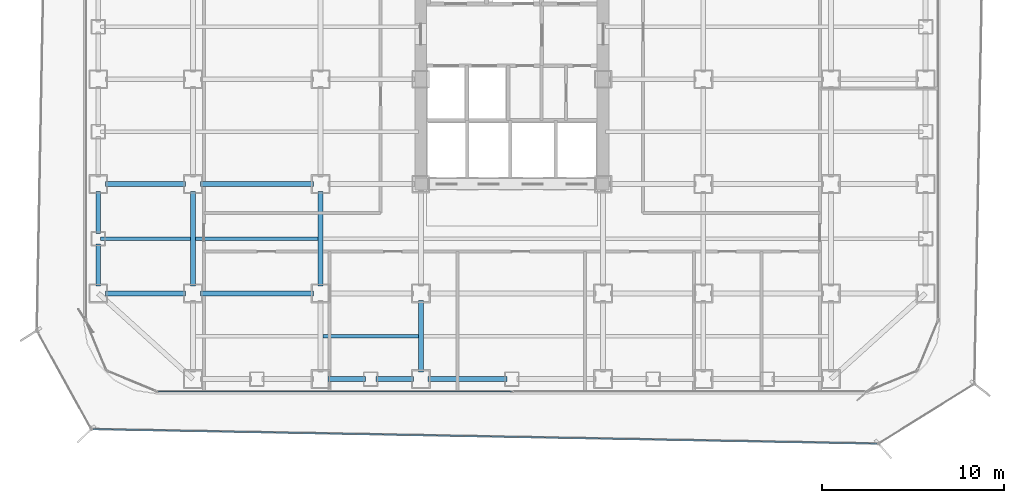
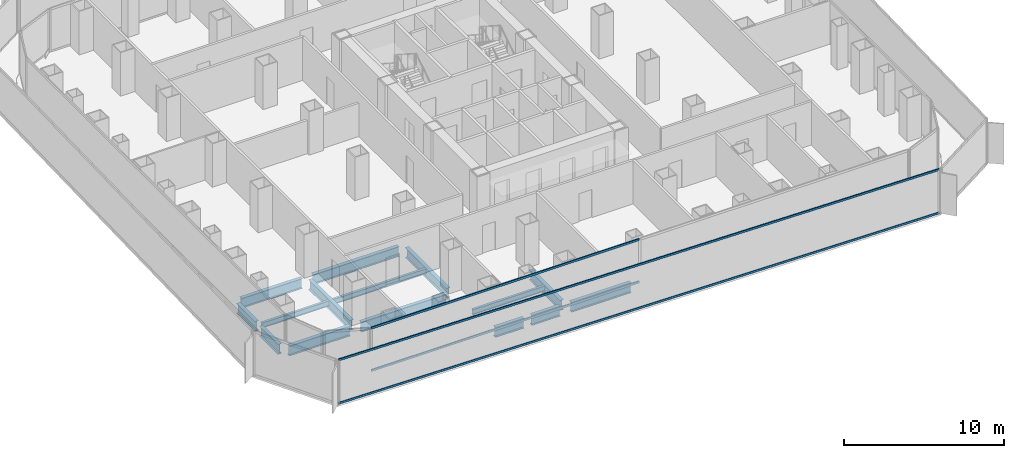
# One storey, part 3 of 22: 15 beams, 4 members, 2 elements without a shape of their own.
"""IFC4 building model written with IfcOpenShell, lengths in metres."""

from ifc_helpers import new_model, si_unit, direction, frame, origin, origin_2d, place, context, subcontext, project, spatial, hollow_rectangle, i_section, extrude, source, transform, mapped, material, layer, layer_set, material_profile, profile_set, type_object, element, aggregate, save


model = new_model("IFC4")

# Units and contexts
model_context = context("Model", 3, precision=1e-05, world=origin(), true_north=direction((0.0, 1.0)))
body_context = subcontext(model_context, "Body", "Model", "MODEL_VIEW")
ifc_project = project(units=[si_unit("LENGTHUNIT", "METRE"), si_unit("AREAUNIT", "SQUARE_METRE"), si_unit("VOLUMEUNIT", "CUBIC_METRE"), si_unit("PLANEANGLEUNIT", "RADIAN"), si_unit("MASSUNIT", "GRAM", prefix="KILO")], contexts=[model_context])

# Site, building, storey
site_placement = place(None, origin())
site = spatial("IfcSite", under=ifc_project, at=site_placement, CompositionType="ELEMENT")
building_placement = place(site_placement, origin())
building = spatial("IfcBuilding", under=site, at=building_placement, Name="Kolveth Station Tower", CompositionType="ELEMENT")
storey_placement = place(building_placement, frame((0.0, 0.0, 81.0)))
storey = spatial("IfcBuildingStorey", under=building, at=storey_placement, Name="L21", CompositionType="ELEMENT", Elevation=81.0)

# Beams
ifc_material_1 = material(Name="Steel S355", Category="steel")
ifc_material_profile_1 = material_profile(ifc_material_1, i_section(OverallWidth=0.26904296875, OverallDepth=0.77490234375, WebThickness=0.01708984375, FlangeThickness=0.0283203125, at=origin_2d()), Name="W760x220")
ifc_profile_set_1 = profile_set([ifc_material_profile_1], Name="Steel S355")
beam_type_1 = type_object("IfcBeamType", Name="Beam_SP1", PredefinedType="SPANDREL", material=ifc_profile_set_1)
shared_shape_1 = source(origin(), body_context, "Body", "SweptSolid", [
    extrude(i_section(OverallWidth=0.26904296875, OverallDepth=0.77490234375, WebThickness=0.01708984375, FlangeThickness=0.0283203125, at=origin_2d()), origin(), (0.0, 0.0, 1.0), 2.070068359375),
])
for number, where, z_axis, x_axis, name in (
    (1, (13.39990234375, 0.800048828125, -0.66748046875), (1.0, 0.0, 0.0), (0.0, 1.0, 0.0), "L21 Perimeter Spandrel BM-L21-PS-3"),
    (2, (16.030029296875, 0.800048828125, -0.66748046875), (1.0, 0.0, 0.0), (0.0, 1.0, 0.0), "L21 Perimeter Spandrel BM-L21-PS-4"),
):
    element("IfcBeam", number, at=place(storey_placement, frame(where, z_axis=z_axis, x_axis=x_axis)), inside=storey, type_object=beam_type_1, Name=name, PredefinedType="SPANDREL", context=body_context, shape_type="MappedRepresentation", body=[
        mapped(shared_shape_1, transform((0.0, 0.0, 0.0), x_axis=(1.0, 0.0, 0.0), y_axis=(0.0, 1.0, 0.0), z_axis=(0.0, 0.0, 1.0), scale=1.0)),
    ])
shared_shape_2 = source(origin(), body_context, "Body", "SweptSolid", [
    extrude(i_section(OverallWidth=0.26904296875, OverallDepth=0.77490234375, WebThickness=0.01708984375, FlangeThickness=0.0283203125, at=origin_2d()), origin(), (0.0, 0.0, 1.0), 4.320068359375),
])
beam_1_placement = place(storey_placement, frame((18.89990234375, 0.800048828125, -0.66748046875), z_axis=(1.0, 0.0, 0.0), x_axis=(0.0, 1.0, 0.0)))
element("IfcBeam", 3, at=beam_1_placement, inside=storey, type_object=beam_type_1, Name="L21 Perimeter Spandrel BM-L21-PS-5", PredefinedType="SPANDREL", context=body_context, shape_type="MappedRepresentation", body=[
    mapped(shared_shape_2, transform((0.0, 0.0, 0.0), x_axis=(1.0, 0.0, 0.0), y_axis=(0.0, 1.0, 0.0), z_axis=(0.0, 0.0, 1.0), scale=1.0)),
])
shared_shape_3 = source(origin(), body_context, "Body", "SweptSolid", [
    extrude(i_section(OverallWidth=0.26904296875, OverallDepth=0.77490234375, WebThickness=0.01708984375, FlangeThickness=0.0283203125, at=origin_2d()), origin(), (0.0, 0.0, 1.0), 2.320068359375),
])
for number, where, z_axis, x_axis, name in (
    (4, (0.800048828125, 5.89990234375, -0.66748046875), (0.0, 1.0, 0.0), (-1.0, 0.0, 0.0), "L21 Perimeter Spandrel BM-L21-PW-1"),
    (5, (0.800048828125, 8.780029296875, -0.66748046875), (0.0, 1.0, 0.0), (-1.0, 0.0, 0.0), "L21 Perimeter Spandrel BM-L21-PW-2"),
):
    element("IfcBeam", number, at=place(storey_placement, frame(where, z_axis=z_axis, x_axis=x_axis)), inside=storey, type_object=beam_type_1, Name=name, PredefinedType="SPANDREL", context=body_context, shape_type="MappedRepresentation", body=[
        mapped(shared_shape_3, transform((0.0, 0.0, 0.0), x_axis=(1.0, 0.0, 0.0), y_axis=(0.0, 1.0, 0.0), z_axis=(0.0, 0.0, 1.0), scale=1.0)),
    ])
ifc_material_profile_2 = material_profile(ifc_material_1, i_section(OverallWidth=0.26708984375, OverallDepth=0.76611328125, WebThickness=0.014892578125, FlangeThickness=0.023681640625, at=origin_2d()), Name="W760x185")
ifc_profile_set_2 = profile_set([ifc_material_profile_2], Name="Steel S355")
beam_type_2 = type_object("IfcBeamType", Name="Beam_B3", PredefinedType="BEAM", material=ifc_profile_set_2)
shared_shape_4 = source(origin(), body_context, "Body", "SweptSolid", [
    extrude(i_section(OverallWidth=0.26708984375, OverallDepth=0.76611328125, WebThickness=0.014892578125, FlangeThickness=0.023681640625, at=origin_2d()), origin(), (0.0, 0.0, 1.0), 4.400146484375),
])
for number, where, z_axis, x_axis, name in (
    (6, (1.199951171875, 5.5, -0.6630859375), (1.0, 0.0, 0.0), (0.0, 1.0, 0.0), "L21 Primary Girder BM-L21-GY55-1"),
    (7, (1.199951171875, 11.5, -0.6630859375), (1.0, 0.0, 0.0), (0.0, 1.0, 0.0), "L21 Primary Girder BM-L21-GY115-1"),
):
    element("IfcBeam", number, at=place(storey_placement, frame(where, z_axis=z_axis, x_axis=x_axis)), inside=storey, type_object=beam_type_2, Name=name, PredefinedType="BEAM", context=body_context, shape_type="MappedRepresentation", body=[
        mapped(shared_shape_4, transform((0.0, 0.0, 0.0), x_axis=(1.0, 0.0, 0.0), y_axis=(0.0, 1.0, 0.0), z_axis=(0.0, 0.0, 1.0), scale=1.0)),
    ])
shared_shape_5 = source(origin(), body_context, "Body", "SweptSolid", [
    extrude(i_section(OverallWidth=0.26708984375, OverallDepth=0.76611328125, WebThickness=0.014892578125, FlangeThickness=0.023681640625, at=origin_2d()), origin(), (0.0, 0.0, 1.0), 6.2001953125),
])
for number, where, z_axis, x_axis, name in (
    (8, (6.39990234375, 5.5, -0.6630859375), (1.0, 0.0, 0.0), (0.0, 1.0, 0.0), "L21 Primary Girder BM-L21-GY55-2"),
    (9, (6.39990234375, 11.5, -0.6630859375), (1.0, 0.0, 0.0), (0.0, 1.0, 0.0), "L21 Primary Girder BM-L21-GY115-2"),
):
    element("IfcBeam", number, at=place(storey_placement, frame(where, z_axis=z_axis, x_axis=x_axis)), inside=storey, type_object=beam_type_2, Name=name, PredefinedType="BEAM", context=body_context, shape_type="MappedRepresentation", body=[
        mapped(shared_shape_5, transform((0.0, 0.0, 0.0), x_axis=(1.0, 0.0, 0.0), y_axis=(0.0, 1.0, 0.0), z_axis=(0.0, 0.0, 1.0), scale=1.0)),
    ])
shared_shape_6 = source(origin(), body_context, "Body", "SweptSolid", [
    extrude(i_section(OverallWidth=0.26708984375, OverallDepth=0.76611328125, WebThickness=0.014892578125, FlangeThickness=0.023681640625, at=origin_2d()), origin(), (0.0, 0.0, 1.0), 3.900146484375),
])
beam_2_placement = place(storey_placement, frame((18.5, 1.199951171875, -0.6630859375), z_axis=(0.0, 1.0, 0.0), x_axis=(-1.0, 0.0, 0.0)))
element("IfcBeam", 10, at=beam_2_placement, inside=storey, type_object=beam_type_2, Name="L21 Primary Girder BM-L21-GX185-1", PredefinedType="BEAM", context=body_context, shape_type="MappedRepresentation", body=[
    mapped(shared_shape_6, transform((0.0, 0.0, 0.0), x_axis=(1.0, 0.0, 0.0), y_axis=(0.0, 1.0, 0.0), z_axis=(0.0, 0.0, 1.0), scale=1.0)),
])
shared_shape_7 = source(origin(), body_context, "Body", "SweptSolid", [
    extrude(i_section(OverallWidth=0.26708984375, OverallDepth=0.76611328125, WebThickness=0.014892578125, FlangeThickness=0.023681640625, at=origin_2d()), origin(), (0.0, 0.0, 1.0), 5.2001953125),
])
for number, where, z_axis, x_axis, name in (
    (11, (6.0, 5.89990234375, -0.6630859375), (0.0, 1.0, 0.0), (-1.0, 0.0, 0.0), "L21 Primary Girder BM-L21-GX60-2"),
    (12, (13.0, 5.89990234375, -0.6630859375), (0.0, 1.0, 0.0), (-1.0, 0.0, 0.0), "L21 Primary Girder BM-L21-GX130-2"),
):
    element("IfcBeam", number, at=place(storey_placement, frame(where, z_axis=z_axis, x_axis=x_axis)), inside=storey, type_object=beam_type_2, Name=name, PredefinedType="BEAM", context=body_context, shape_type="MappedRepresentation", body=[
        mapped(shared_shape_7, transform((0.0, 0.0, 0.0), x_axis=(1.0, 0.0, 0.0), y_axis=(0.0, 1.0, 0.0), z_axis=(0.0, 0.0, 1.0), scale=1.0)),
    ])
ifc_material_profile_3 = material_profile(ifc_material_1, i_section(OverallWidth=0.177978515625, OverallDepth=0.406982421875, WebThickness=0.0078125, FlangeThickness=0.0126953125, at=origin_2d()), Name="W410x60")
ifc_profile_set_3 = profile_set([ifc_material_profile_3], Name="Steel S355")
beam_type_3 = type_object("IfcBeamType", Name="Beam_J1", PredefinedType="JOIST", material=ifc_profile_set_3)
shared_shape_8 = source(origin(), body_context, "Body", "SweptSolid", [
    extrude(i_section(OverallWidth=0.177978515625, OverallDepth=0.406982421875, WebThickness=0.0078125, FlangeThickness=0.0126953125, at=origin_2d()), origin(), (0.0, 0.0, 1.0), 4.935791015625),
])
beam_3_placement = place(storey_placement, frame((0.9326171875, 8.5, -0.4833984375), z_axis=(1.0, 0.0, 0.0), x_axis=(0.0, 1.0, 0.0)))
element("IfcBeam", 13, at=beam_3_placement, inside=storey, type_object=beam_type_3, Name="L21 Secondary Joist JST-L21-1-2", PredefinedType="JOIST", context=body_context, shape_type="MappedRepresentation", body=[
    mapped(shared_shape_8, transform((0.0, 0.0, 0.0), x_axis=(1.0, 0.0, 0.0), y_axis=(0.0, 1.0, 0.0), z_axis=(0.0, 0.0, 1.0), scale=1.0)),
])
shared_shape_9 = source(origin(), body_context, "Body", "SweptSolid", [
    extrude(i_section(OverallWidth=0.177978515625, OverallDepth=0.406982421875, WebThickness=0.0078125, FlangeThickness=0.0126953125, at=origin_2d()), origin(), (0.0, 0.0, 1.0), 6.73681640625),
])
beam_4_placement = place(storey_placement, frame((6.131591796875, 8.5, -0.4833984375), z_axis=(1.0, 0.0, 0.0), x_axis=(0.0, 1.0, 0.0)))
element("IfcBeam", 14, at=beam_4_placement, inside=storey, type_object=beam_type_3, Name="L21 Secondary Joist JST-L21-2-2", PredefinedType="JOIST", context=body_context, shape_type="MappedRepresentation", body=[
    mapped(shared_shape_9, transform((0.0, 0.0, 0.0), x_axis=(1.0, 0.0, 0.0), y_axis=(0.0, 1.0, 0.0), z_axis=(0.0, 0.0, 1.0), scale=1.0)),
])
shared_shape_10 = source(origin(), body_context, "Body", "SweptSolid", [
    extrude(i_section(OverallWidth=0.177978515625, OverallDepth=0.406982421875, WebThickness=0.0078125, FlangeThickness=0.0126953125, at=origin_2d()), origin(), (0.0, 0.0, 1.0), 5.23681640625),
])
beam_5_placement = place(storey_placement, frame((13.131591796875, 3.14990234375, -0.4833984375), z_axis=(1.0, 0.0, 0.0), x_axis=(0.0, 1.0, 0.0)))
element("IfcBeam", 15, at=beam_5_placement, inside=storey, type_object=beam_type_3, Name="L21 Secondary Joist JST-L21-3-1", PredefinedType="JOIST", context=body_context, shape_type="MappedRepresentation", body=[
    mapped(shared_shape_10, transform((0.0, 0.0, 0.0), x_axis=(1.0, 0.0, 0.0), y_axis=(0.0, 1.0, 0.0), z_axis=(0.0, 0.0, 1.0), scale=1.0)),
])

# Curtain wall, members
ifc_material_2 = material(Name="Aluminium 6063-T6 and low-E dark glass", Category="aluminium")
ifc_layer_1 = layer(ifc_material_2, 0.179931640625)
ifc_layer_set_1 = layer_set([ifc_layer_1], Name="Aluminium 6063-T6 and low-E dark glass")
curtain_wall_type_1 = type_object("IfcCurtainWallType", Name="CurtainWall_CW-Z1", PredefinedType="NOTDEFINED", material=ifc_layer_set_1)
curtain_wall_1_placement = place(storey_placement, origin())
curtain_wall_1 = element("IfcCurtainWall", 16, at=curtain_wall_1_placement, inside=storey, type_object=curtain_wall_type_1, Name="L21 Inner Thermal Curtain Wall 12", PredefinedType="NOTDEFINED")
ifc_material_3 = material(Name="Black anodized aluminium 6063-T6", Category="aluminium")
ifc_material_profile_4 = material_profile(ifc_material_3, hollow_rectangle(XDim=0.074951171875, YDim=0.159912109375, WallThickness=0.0048828125, at=origin_2d()), Name="ALU-75x160x5")
ifc_profile_set_4 = profile_set([ifc_material_profile_4], Name="Black anodized aluminium 6063-T6")
member_type_1 = type_object("IfcMemberType", Name="Transom_TR1", PredefinedType="USERDEFINED", material=ifc_profile_set_4)
shared_shape_11 = source(origin(), body_context, "Body", "SweptSolid", [
    extrude(hollow_rectangle(XDim=0.074951171875, YDim=0.159912109375, WallThickness=0.0048828125, at=origin_2d()), origin(), (0.0, 0.0, 1.0), 19.387451171875),
])
member_1_placement = place(storey_placement, frame((4.074951171875, 0.1201171875, 0.03759765625), z_axis=(1.0, 0.0, 0.0), x_axis=(0.0, 1.0, 0.0)))
member_1 = element("IfcMember", 17, at=member_1_placement, type_object=member_type_1, Name="CW-Z1 transom 1.1", ObjectType="TRANSOM", PredefinedType="USERDEFINED", context=body_context, shape_type="MappedRepresentation", body=[
    mapped(shared_shape_11, transform((0.0, 0.0, 0.0), x_axis=(1.0, 0.0, 0.0), y_axis=(0.0, 1.0, 0.0), z_axis=(0.0, 0.0, 1.0), scale=1.0)),
])
member_2_placement = place(storey_placement, frame((4.074951171875, 0.1201171875, 3.282470703125), z_axis=(1.0, 0.0, 0.0), x_axis=(0.0, 1.0, 0.0)))
member_2 = element("IfcMember", 18, at=member_2_placement, type_object=member_type_1, Name="CW-Z1 transom 1.2", ObjectType="TRANSOM", PredefinedType="USERDEFINED", context=body_context, shape_type="MappedRepresentation", body=[
    mapped(shared_shape_11, transform((0.0, 0.0, 0.0), x_axis=(1.0, 0.0, 0.0), y_axis=(0.0, 1.0, 0.0), z_axis=(0.0, 0.0, 1.0), scale=1.0)),
])
aggregate(curtain_wall_1, [member_1, member_2])

ifc_material_4 = material(Name="Black anodized aluminium 6063-T6 and dark solar glass", Category="aluminium")
ifc_layer_2 = layer(ifc_material_4, 0.159912109375)
ifc_layer_set_2 = layer_set([ifc_layer_2], Name="Black anodized aluminium 6063-T6 and dark solar glass")
curtain_wall_type_2 = type_object("IfcCurtainWallType", Name="OUTER SKIN CW-OS", PredefinedType="NOTDEFINED", material=ifc_layer_set_2)
curtain_wall_2_placement = place(storey_placement, origin())
curtain_wall_2 = element("IfcCurtainWall", 19, at=curtain_wall_2_placement, inside=storey, type_object=curtain_wall_type_2, Name="L21 Outer Ventilated Skin Curtain Wall 8", PredefinedType="NOTDEFINED")
ifc_material_profile_5 = material_profile(ifc_material_3, hollow_rectangle(XDim=0.080078125, YDim=0.14990234375, WallThickness=0.0048828125, at=origin_2d()), Name="ALU-80x150x5")
ifc_profile_set_5 = profile_set([ifc_material_profile_5], Name="Black anodized aluminium 6063-T6")
member_type_2 = type_object("IfcMemberType", Name="Transom_TR-OS", PredefinedType="USERDEFINED", material=ifc_profile_set_5)
shared_shape_12 = source(origin(), body_context, "Body", "SweptSolid", [
    extrude(hollow_rectangle(XDim=0.080078125, YDim=0.14990234375, WallThickness=0.0048828125, at=origin_2d()), origin(), (0.0, 0.0, 1.0), 43.018310546875),
])
member_3_placement = place(storey_placement, frame((0.51220703125, -1.94873046875, 0.0400390625), z_axis=(0.99982904489, -0.018490024171, 0.0), x_axis=(0.018490024171, 0.99982904489, 0.0)))
member_3 = element("IfcMember", 20, at=member_3_placement, type_object=member_type_2, Name="CW-OS transom 1.1", ObjectType="TRANSOM", PredefinedType="USERDEFINED", context=body_context, shape_type="MappedRepresentation", body=[
    mapped(shared_shape_12, transform((0.0, 0.0, 0.0), x_axis=(1.0, 0.0, 0.0), y_axis=(0.0, 1.0, 0.0), z_axis=(0.0, 0.0, 1.0), scale=1.0)),
])
member_4_placement = place(storey_placement, frame((0.51220703125, -1.94873046875, 3.35009765625), z_axis=(0.99982904489, -0.018490024171, 0.0), x_axis=(0.018490024171, 0.99982904489, 0.0)))
member_4 = element("IfcMember", 21, at=member_4_placement, type_object=member_type_2, Name="CW-OS transom 1.2", ObjectType="TRANSOM", PredefinedType="USERDEFINED", context=body_context, shape_type="MappedRepresentation", body=[
    mapped(shared_shape_12, transform((0.0, 0.0, 0.0), x_axis=(1.0, 0.0, 0.0), y_axis=(0.0, 1.0, 0.0), z_axis=(0.0, 0.0, 1.0), scale=1.0)),
])
aggregate(curtain_wall_2, [member_3, member_4])

save(model, "model.ifc")
